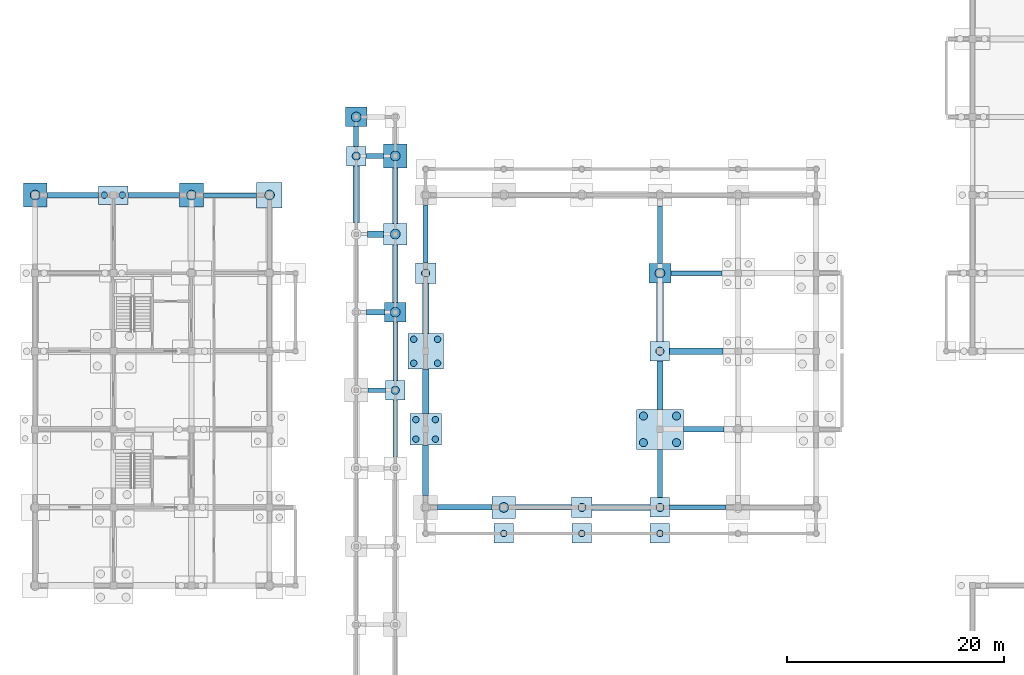
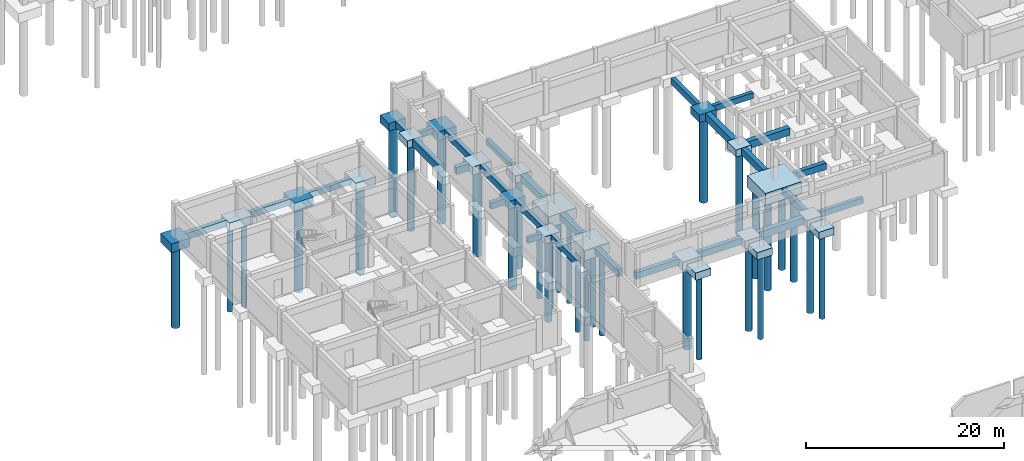
# One storey, part 9 of 38: 50 footings, 32 piles.
"""IFC4 building model written with IfcOpenShell, lengths in metres."""

import ifcopenshell
import ifcopenshell.guid

model = None  # the IFC model being written
_history = None  # IfcOwnerHistory: only IFC2X3 demands one
_inside = {}  # id of a spatial element -> (the spatial element, [elements in it])
_under = {}  # id of a project, library or spatial element -> (it, [spatial elements below it])
_declared = {}  # id of a project -> (the project, [libraries it declares])
_typed = {}  # id of a type object -> (the type object, [elements of that type])
_made_of = {}  # id of a material, layer set ... -> (it, [elements and type objects made of it])


def new_model(schema):
    """Start an empty IFC model of exactly this schema.

    Asked for "IFC4X3", IfcOpenShell would pick the latest addendum, in which some entities
    have other attributes; the version numbers below select the first issue.
    IFC2X3 requires an IfcOwnerHistory on every rooted entity: one is made here for all.
    """
    global model, _history
    if schema == "IFC4X3":
        model = ifcopenshell.file(schema_version=(4, 3, 0, 0))
    else:
        model = ifcopenshell.file(schema=schema)
    _inside.clear()
    _under.clear()
    _declared.clear()
    _typed.clear()
    _made_of.clear()
    _history = None
    if model.schema == "IFC2X3":
        org = make("IfcOrganization", Name="unknown")
        user = make(
            "IfcPersonAndOrganization",
            ThePerson=make("IfcPerson", FamilyName="unknown"),
            TheOrganization=org,
        )
        app = make(
            "IfcApplication",
            ApplicationDeveloper=org,
            Version="unknown",
            ApplicationFullName="unknown",
            ApplicationIdentifier="unknown",
        )
        _history = make(
            "IfcOwnerHistory",
            OwningUser=user,
            OwningApplication=app,
            ChangeAction="ADDED",
            CreationDate=0,
        )
    return model


def make(cls, **values):
    """One entity of the class cls with the attributes given. An attribute that is None is left unset."""
    return model.create_entity(
        cls, **{name: value for name, value in values.items() if value is not None}
    )


def rooted(cls, **values):
    """An entity with a GlobalId (a new one), such as an element, a storey or a relation."""
    return make(cls, GlobalId=ifcopenshell.guid.new(), OwnerHistory=_history, **values)


def si_unit(unit_type, name, prefix=None):
    """IfcSIUnit, for example si_unit("LENGTHUNIT", "METRE", prefix="MILLI")."""
    return make("IfcSIUnit", UnitType=unit_type, Prefix=prefix, Name=name)


def assignment(units):
    """IfcUnitAssignment: the units of a project."""
    return None if units is None else make("IfcUnitAssignment", Units=units)


def point(xyz):
    """IfcCartesianPoint."""
    return None if xyz is None else make("IfcCartesianPoint", Coordinates=xyz)


def direction(xyz):
    """IfcDirection."""
    return None if xyz is None else make("IfcDirection", DirectionRatios=xyz)


def frame(location, z_axis=None, x_axis=None):
    """IfcAxis2Placement3D, a coordinate frame: its origin and axes. An axis left out is left unset."""
    return make(
        "IfcAxis2Placement3D",
        Location=point(location),
        Axis=direction(z_axis),
        RefDirection=direction(x_axis),
    )


def frame_2d(location, x_axis=None):
    """IfcAxis2Placement2D, a coordinate frame in the plane: its origin and x axis."""
    return make(
        "IfcAxis2Placement2D", Location=point(location), RefDirection=direction(x_axis)
    )


def origin():
    """The frame at (0, 0, 0) with its axes left unset."""
    return frame((0.0, 0.0, 0.0))


def origin_2d():
    """The frame at (0, 0) in the plane with its x axis left unset."""
    return frame_2d((0.0, 0.0))


def place(relative_to, where):
    """IfcLocalPlacement: puts the frame where relative to a parent placement (None: the world)."""
    return make(
        "IfcLocalPlacement", PlacementRelTo=relative_to, RelativePlacement=where
    )


def context(
    kind, dimensions, precision=None, world=None, true_north=None, identifier=None
):
    """IfcGeometricRepresentationContext, for example the 3D "Model" context."""
    return make(
        "IfcGeometricRepresentationContext",
        ContextIdentifier=identifier,
        ContextType=kind,
        CoordinateSpaceDimension=dimensions,
        Precision=precision,
        WorldCoordinateSystem=world,
        TrueNorth=true_north,
    )


def subcontext(parent, identifier, kind, view, scale=None):
    """IfcGeometricRepresentationSubContext, for example "Body" below "Model"."""
    return make(
        "IfcGeometricRepresentationSubContext",
        ContextIdentifier=identifier,
        ContextType=kind,
        ParentContext=parent,
        TargetScale=scale,
        TargetView=view,
    )


def project(units=None, contexts=None):
    """IfcProject with its units and contexts."""
    return rooted(
        "IfcProject",
        Name="project",
        RepresentationContexts=contexts,
        UnitsInContext=assignment(units),
    )


def spatial(cls, under=None, at=None, **own):
    """A site, building, storey or space (cls), placed at a placement, below another one or the project."""
    s = rooted(cls, ObjectPlacement=at, **own)
    if under is not None:
        _under.setdefault(under.id(), (under, []))[1].append(s)
    return s


def polyline(points):
    """IfcPolyline through the points."""
    return make("IfcPolyline", Points=[point(p) for p in points])


def profile(cls, at=None, kind="AREA", **sizes):
    """A parametric profile (cls). Its sizes go by their IFC names, for example OverallWidth=200.0."""
    return make(cls, ProfileType=kind, Position=at, **sizes)


def rectangle(**sizes):
    """IfcRectangleProfileDef."""
    return profile("IfcRectangleProfileDef", **sizes)


def circle(**sizes):
    """IfcCircleProfileDef."""
    return profile("IfcCircleProfileDef", **sizes)


def outline(outer, holes=None, kind="AREA"):
    """IfcArbitraryClosedProfileDef: a profile drawn as a closed curve; with holes, ...WithVoids."""
    if holes is None:
        return make("IfcArbitraryClosedProfileDef", ProfileType=kind, OuterCurve=outer)
    return make(
        "IfcArbitraryProfileDefWithVoids",
        ProfileType=kind,
        OuterCurve=outer,
        InnerCurves=holes,
    )


def extrude(swept, where, along, depth):
    """IfcExtrudedAreaSolid: the profile swept, set in the frame where, extruded along a direction by depth."""
    return make(
        "IfcExtrudedAreaSolid",
        SweptArea=swept,
        Position=where,
        ExtrudedDirection=direction(along),
        Depth=depth,
    )


def shape(context_of_items, identifier, shape_type, items):
    """IfcShapeRepresentation: the items that make up one representation, for example the "Body"."""
    return make(
        "IfcShapeRepresentation",
        ContextOfItems=context_of_items,
        RepresentationIdentifier=identifier,
        RepresentationType=shape_type,
        Items=items,
    )


def material(Name=None, Category=None):
    """IfcMaterial."""
    return make("IfcMaterial", Name=Name, Category=Category)


def material_profile(
    of_material, cross_section, Name=None, Category=None, Priority=None
):
    """IfcMaterialProfile: a cross section and its material."""
    return make(
        "IfcMaterialProfile",
        Name=Name,
        Material=of_material,
        Profile=cross_section,
        Priority=Priority,
        Category=Category,
    )


def profile_set(profiles, Name=None, composite=None):
    """IfcMaterialProfileSet."""
    return make(
        "IfcMaterialProfileSet",
        Name=Name,
        MaterialProfiles=profiles,
        CompositeProfile=composite,
    )


def made_of(thing, what):
    """Note that an element or type object is made of a material, layer set ...; save() writes the relation."""
    if what is not None:
        _made_of.setdefault(what.id(), (what, []))[1].append(thing)
    return thing


def type_object(cls, material=None, **own):
    """A type object (cls), such as IfcWallType, which elements share."""
    return made_of(rooted(cls, **own), material)


def element(
    cls,
    number,
    at=None,
    inside=None,
    cuts=None,
    type_object=None,
    material=None,
    context=None,
    identifier="Body",
    shape_type=None,
    held_by="IfcProductDefinitionShape",
    body=None,
    shapes=None,
    **own,
):
    """One element of the class cls, such as IfcWall. Its Tag is "e" and its number.

    at: its placement. inside: the storey or other place that contains it. cuts: it is an
    opening in that element (IfcRelVoidsElement). A single representation is given by context,
    identifier, shape_type and body (its items); several are given by shapes. held_by: the class
    of the entity that holds the representations. save() writes the other relations.
    """
    e = rooted(cls, Tag="e%d" % number, ObjectPlacement=at, **own)
    if body is not None:
        shapes = [shape(context, identifier, shape_type, body)]
    if shapes is not None:
        e.Representation = make(held_by, Representations=shapes)
    if inside is not None:
        _inside.setdefault(inside.id(), (inside, []))[1].append(e)
    if cuts is not None:
        rooted(
            "IfcRelVoidsElement", RelatingBuildingElement=cuts, RelatedOpeningElement=e
        )
    if type_object is not None:
        _typed.setdefault(type_object.id(), (type_object, []))[1].append(e)
    return made_of(e, material)


def aggregate(whole, parts):
    """IfcRelAggregates: a whole, such as a stair, and the parts it consists of."""
    return rooted("IfcRelAggregates", RelatingObject=whole, RelatedObjects=parts)


def save(model, path):
    """Write the relations noted so far, then the file.

    IfcRelAggregates (storeys below a building ...), IfcRelContainedInSpatialStructure (elements
    in a storey), IfcRelDefinesByType, IfcRelAssociatesMaterial and IfcRelDeclares: one each for
    every whole, place, type object, material and project.
    """
    for whole, parts in _under.values():
        aggregate(whole, parts)
    for where, things in _inside.values():
        rooted(
            "IfcRelContainedInSpatialStructure",
            RelatedElements=things,
            RelatingStructure=where,
        )
    for kind, things in _typed.values():
        rooted("IfcRelDefinesByType", RelatedObjects=things, RelatingType=kind)
    for what, things in _made_of.values():
        rooted("IfcRelAssociatesMaterial", RelatedObjects=things, RelatingMaterial=what)
    for by, libraries in _declared.values():
        rooted("IfcRelDeclares", RelatingContext=by, RelatedDefinitions=libraries)
    model.write(path)


model = new_model("IFC4")

# Units and contexts
model_context = context("Model", 3, precision=1e-05, world=origin(), true_north=direction((0.0, 1.0)))
body_context = subcontext(model_context, "Body", "Model", "MODEL_VIEW")
ifc_project = project(units=[si_unit("LENGTHUNIT", "METRE"), si_unit("AREAUNIT", "SQUARE_METRE"), si_unit("VOLUMEUNIT", "CUBIC_METRE"), si_unit("PLANEANGLEUNIT", "RADIAN"), si_unit("MASSUNIT", "GRAM", prefix="KILO"), si_unit("THERMODYNAMICTEMPERATUREUNIT", "KELVIN"), si_unit("POWERUNIT", "WATT")], contexts=[model_context])

# Site, building, storey
site_placement = place(None, origin())
site = spatial("IfcSite", under=ifc_project, at=site_placement, CompositionType="ELEMENT")
building_placement = place(site_placement, origin())
building = spatial("IfcBuilding", under=site, at=building_placement, Name="Tavuni Mirador Residences", CompositionType="ELEMENT")
storey_placement = place(building_placement, frame((0.0, 0.0, -4.199951171875)))
storey = spatial("IfcBuildingStorey", under=building, at=storey_placement, Name="B1", CompositionType="ELEMENT", Elevation=-4.199951171875)

# Footings
ifc_material = material(Name="In-situ concrete C35/45", Category="concrete")
footing_type_1 = type_object("IfcFootingType", Name="FT-GB01", PredefinedType="FOOTING_BEAM", material=ifc_material)
footing_1_placement = place(storey_placement, frame((0.0, 0.0, -0.719970703125)))
element("IfcFooting", 1, at=footing_1_placement, inside=storey, type_object=footing_type_1, Name="GBX-BLK-B-02-05", PredefinedType="FOOTING_BEAM", context=body_context, shape_type="SweptSolid", body=[
    extrude(outline(polyline([(19.10009765625, 100.590087890625), (24.02490234375, 100.590087890625), (24.02490234375, 101.010009765625), (19.10009765625, 101.010009765625), (19.10009765625, 100.590087890625)])), origin(), (0.0, 0.0, 1.0), 0.719970703125),
])
footing_2_placement = place(storey_placement, frame((0.0, 0.0, -0.719970703125)))
element("IfcFooting", 2, at=footing_2_placement, inside=storey, type_object=footing_type_1, Name="GBY-PAV-HALL-00-03", PredefinedType="FOOTING_BEAM", context=body_context, shape_type="SweptSolid", body=[
    extrude(outline(polyline([(39.389892578125, 94.550048828125), (39.81005859375, 94.550048828125), (39.81005859375, 99.89990234375), (39.389892578125, 99.89990234375), (39.389892578125, 94.550048828125)])), origin(), (0.0, 0.0, 1.0), 0.719970703125),
])
footing_3_placement = place(storey_placement, frame((0.0, 0.0, -0.719970703125)))
element("IfcFooting", 3, at=footing_3_placement, inside=storey, type_object=footing_type_1, Name="GBX-PAV-HALL-03-00", PredefinedType="FOOTING_BEAM", context=body_context, shape_type="SweptSolid", body=[
    extrude(outline(polyline([(62.10009765625, 71.7900390625), (67.300048828125, 71.7900390625), (67.300048828125, 72.2099609375), (62.10009765625, 72.2099609375), (62.10009765625, 71.7900390625)])), origin(), (0.0, 0.0, 1.0), 0.719970703125),
])
footing_4_placement = place(storey_placement, frame((0.0, 0.0, -0.719970703125)))
element("IfcFooting", 4, at=footing_4_placement, inside=storey, type_object=footing_type_1, Name="GBX-PAV-HALL-03-03", PredefinedType="FOOTING_BEAM", context=body_context, shape_type="SweptSolid", body=[
    extrude(outline(polyline([(62.199951171875, 93.389892578125), (66.89990234375, 93.389892578125), (66.89990234375, 93.81005859375), (62.199951171875, 93.81005859375), (62.199951171875, 93.389892578125)])), origin(), (0.0, 0.0, 1.0), 0.719970703125),
])
footing_5_placement = place(storey_placement, frame((0.0, 0.0, -0.719970703125)))
element("IfcFooting", 5, at=footing_5_placement, inside=storey, type_object=footing_type_1, Name="GBX-PAV-COL-00-04", PredefinedType="FOOTING_BEAM", context=body_context, shape_type="SweptSolid", body=[
    extrude(outline(polyline([(34.300048828125, 82.590087890625), (35.89990234375, 82.590087890625), (35.89990234375, 83.010009765625), (34.300048828125, 83.010009765625), (34.300048828125, 82.590087890625)])), origin(), (0.0, 0.0, 1.0), 0.719970703125),
])
footing_6_placement = place(storey_placement, frame((0.0, 0.0, -0.719970703125)))
element("IfcFooting", 6, at=footing_6_placement, inside=storey, type_object=footing_type_1, Name="GBX-PAV-COL-00-07", PredefinedType="FOOTING_BEAM", context=body_context, shape_type="SweptSolid", body=[
    extrude(outline(polyline([(34.10009765625, 104.18994140625), (35.699951171875, 104.18994140625), (35.699951171875, 104.610107421875), (34.10009765625, 104.610107421875), (34.10009765625, 104.18994140625)])), origin(), (0.0, 0.0, 1.0), 0.719970703125),
])
footing_7_placement = place(storey_placement, frame((0.0, 0.0, -0.719970703125)))
element("IfcFooting", 7, at=footing_7_placement, inside=storey, type_object=footing_type_1, Name="GBY-PAV-COL-01-03", PredefinedType="FOOTING_BEAM", context=body_context, shape_type="SweptSolid", body=[
    extrude(outline(polyline([(36.590087890625, 76.64990234375), (37.010009765625, 76.64990234375), (37.010009765625, 81.89990234375), (36.590087890625, 81.89990234375), (36.590087890625, 76.64990234375)])), origin(), (0.0, 0.0, 1.0), 0.719970703125),
])
footing_type_2 = type_object("IfcFootingType", Name="FT-GB02", PredefinedType="FOOTING_BEAM", material=ifc_material)
footing_8_placement = place(storey_placement, frame((0.0, 0.0, -0.760009765625)))
element("IfcFooting", 8, at=footing_8_placement, inside=storey, type_object=footing_type_2, Name="GBX-BLK-B-01-05", PredefinedType="FOOTING_BEAM", context=body_context, shape_type="SweptSolid", body=[
    extrude(outline(polyline([(12.14990234375, 100.570068359375), (16.89990234375, 100.570068359375), (16.89990234375, 101.030029296875), (12.14990234375, 101.030029296875), (12.14990234375, 100.570068359375)])), origin(), (0.0, 0.0, 1.0), 0.760009765625),
])
footing_9_placement = place(storey_placement, frame((0.0, 0.0, -0.760009765625)))
element("IfcFooting", 9, at=footing_9_placement, inside=storey, type_object=footing_type_2, Name="GBY-PAV-HALL-03-00", PredefinedType="FOOTING_BEAM", context=body_context, shape_type="SweptSolid", body=[
    extrude(outline(polyline([(60.969970703125, 72.89990234375), (61.429931640625, 72.89990234375), (61.429931640625, 77.35009765625), (60.969970703125, 77.35009765625), (60.969970703125, 72.89990234375)])), origin(), (0.0, 0.0, 1.0), 0.760009765625),
])
footing_10_placement = place(storey_placement, frame((0.0, 0.0, -0.760009765625)))
element("IfcFooting", 10, at=footing_10_placement, inside=storey, type_object=footing_type_2, Name="GBY-PAV-HALL-03-03", PredefinedType="FOOTING_BEAM", context=body_context, shape_type="SweptSolid", body=[
    extrude(outline(polyline([(60.969970703125, 94.5), (61.429931640625, 94.5), (61.429931640625, 99.800048828125), (60.969970703125, 99.800048828125), (60.969970703125, 94.5)])), origin(), (0.0, 0.0, 1.0), 0.760009765625),
])
footing_11_placement = place(storey_placement, frame((0.0, 0.0, -0.760009765625)))
element("IfcFooting", 11, at=footing_11_placement, inside=storey, type_object=footing_type_2, Name="GBY-PAV-COL-00-07", PredefinedType="FOOTING_BEAM", context=body_context, shape_type="SweptSolid", body=[
    extrude(outline(polyline([(32.969970703125, 105.300048828125), (33.429931640625, 105.300048828125), (33.429931640625, 107.10009765625), (32.969970703125, 107.10009765625), (32.969970703125, 105.300048828125)])), origin(), (0.0, 0.0, 1.0), 0.760009765625),
])
footing_12_placement = place(storey_placement, frame((0.0, 0.0, -0.760009765625)))
element("IfcFooting", 12, at=footing_12_placement, inside=storey, type_object=footing_type_2, Name="GBY-PAV-COL-01-04", PredefinedType="FOOTING_BEAM", context=body_context, shape_type="SweptSolid", body=[
    extrude(outline(polyline([(36.570068359375, 83.699951171875), (37.030029296875, 83.699951171875), (37.030029296875, 89.10009765625), (36.570068359375, 89.10009765625), (36.570068359375, 83.699951171875)])), origin(), (0.0, 0.0, 1.0), 0.760009765625),
])
footing_type_3 = type_object("IfcFootingType", Name="FT-GB03", PredefinedType="FOOTING_BEAM", material=ifc_material)
footing_13_placement = place(storey_placement, frame((0.0, 0.0, -0.800048828125)))
element("IfcFooting", 13, at=footing_13_placement, inside=storey, type_object=footing_type_3, Name="GBX-BLK-B-00-05", PredefinedType="FOOTING_BEAM", context=body_context, shape_type="SweptSolid", body=[
    extrude(outline(polyline([(4.699951171875, 100.550048828125), (9.449951171875, 100.550048828125), (9.449951171875, 101.050048828125), (4.699951171875, 101.050048828125), (4.699951171875, 100.550048828125)])), origin(), (0.0, 0.0, 1.0), 0.800048828125),
])
footing_14_placement = place(storey_placement, frame((0.0, 0.0, -0.800048828125)))
element("IfcFooting", 14, at=footing_14_placement, inside=storey, type_object=footing_type_3, Name="GBX-PAV-HALL-00-00", PredefinedType="FOOTING_BEAM", context=body_context, shape_type="SweptSolid", body=[
    extrude(outline(polyline([(40.699951171875, 71.75), (45.699951171875, 71.75), (45.699951171875, 72.25), (40.699951171875, 72.25), (40.699951171875, 71.75)])), origin(), (0.0, 0.0, 1.0), 0.800048828125),
])
footing_15_placement = place(storey_placement, frame((0.0, 0.0, -0.800048828125)))
element("IfcFooting", 15, at=footing_15_placement, inside=storey, type_object=footing_type_3, Name="GBX-PAV-HALL-01-00", PredefinedType="FOOTING_BEAM", context=body_context, shape_type="SweptSolid", body=[
    extrude(outline(polyline([(47.89990234375, 71.75), (53.050048828125, 71.75), (53.050048828125, 72.25), (47.89990234375, 72.25), (47.89990234375, 71.75)])), origin(), (0.0, 0.0, 1.0), 0.800048828125),
])
footing_16_placement = place(storey_placement, frame((0.0, 0.0, -0.800048828125)))
element("IfcFooting", 16, at=footing_16_placement, inside=storey, type_object=footing_type_3, Name="GBX-PAV-HALL-03-01", PredefinedType="FOOTING_BEAM", context=body_context, shape_type="SweptSolid", body=[
    extrude(outline(polyline([(63.35009765625, 78.949951171875), (67.10009765625, 78.949951171875), (67.10009765625, 79.449951171875), (63.35009765625, 79.449951171875), (63.35009765625, 78.949951171875)])), origin(), (0.0, 0.0, 1.0), 0.800048828125),
])
footing_17_placement = place(storey_placement, frame((0.0, 0.0, -0.800048828125)))
element("IfcFooting", 17, at=footing_17_placement, inside=storey, type_object=footing_type_3, Name="GBX-PAV-COL-00-05", PredefinedType="FOOTING_BEAM", context=body_context, shape_type="SweptSolid", body=[
    extrude(outline(polyline([(34.14990234375, 89.75), (35.800048828125, 89.75), (35.800048828125, 90.25), (34.14990234375, 90.25), (34.14990234375, 89.75)])), origin(), (0.0, 0.0, 1.0), 0.800048828125),
])
footing_18_placement = place(storey_placement, frame((0.0, 0.0, -0.800048828125)))
element("IfcFooting", 18, at=footing_18_placement, inside=storey, type_object=footing_type_3, Name="GBY-PAV-COL-01-05", PredefinedType="FOOTING_BEAM", context=body_context, shape_type="SweptSolid", body=[
    extrude(outline(polyline([(36.550048828125, 90.89990234375), (37.050048828125, 90.89990234375), (37.050048828125, 96.199951171875), (36.550048828125, 96.199951171875), (36.550048828125, 90.89990234375)])), origin(), (0.0, 0.0, 1.0), 0.800048828125),
])
footing_type_4 = type_object("IfcFootingType", Name="FT-GB04", PredefinedType="FOOTING_BEAM", material=ifc_material)
footing_19_placement = place(storey_placement, frame((0.0, 0.0, -0.840087890625)))
element("IfcFooting", 19, at=footing_19_placement, inside=storey, type_object=footing_type_4, Name="GBY-PAV-HALL-00-00", PredefinedType="FOOTING_BEAM", context=body_context, shape_type="SweptSolid", body=[
    extrude(outline(polyline([(39.330078125, 73.10009765625), (39.8701171875, 73.10009765625), (39.8701171875, 77.75), (39.330078125, 77.75), (39.330078125, 73.10009765625)])), origin(), (0.0, 0.0, 1.0), 0.840087890625),
])
footing_20_placement = place(storey_placement, frame((0.0, 0.0, -0.840087890625)))
element("IfcFooting", 20, at=footing_20_placement, inside=storey, type_object=footing_type_4, Name="GBY-PAV-HALL-03-01", PredefinedType="FOOTING_BEAM", context=body_context, shape_type="SweptSolid", body=[
    extrude(outline(polyline([(60.929931640625, 81.050048828125), (61.469970703125, 81.050048828125), (61.469970703125, 85.5), (60.929931640625, 85.5), (60.929931640625, 81.050048828125)])), origin(), (0.0, 0.0, 1.0), 0.840087890625),
])
footing_21_placement = place(storey_placement, frame((0.0, 0.0, -0.840087890625)))
element("IfcFooting", 21, at=footing_21_placement, inside=storey, type_object=footing_type_4, Name="GBY-PAV-COL-01-06", PredefinedType="FOOTING_BEAM", context=body_context, shape_type="SweptSolid", body=[
    extrude(outline(polyline([(36.530029296875, 98.199951171875), (37.070068359375, 98.199951171875), (37.070068359375, 103.300048828125), (36.530029296875, 103.300048828125), (36.530029296875, 98.199951171875)])), origin(), (0.0, 0.0, 1.0), 0.840087890625),
])
footing_type_5 = type_object("IfcFootingType", Name="FT-GB05", PredefinedType="FOOTING_BEAM", material=ifc_material)
footing_22_placement = place(storey_placement, frame((0.0, 0.0, -0.880126953125)))
element("IfcFooting", 22, at=footing_22_placement, inside=storey, type_object=footing_type_5, Name="GBY-PAV-HALL-00-01", PredefinedType="FOOTING_BEAM", context=body_context, shape_type="SweptSolid", body=[
    extrude(outline(polyline([(39.31005859375, 80.64990234375), (39.889892578125, 80.64990234375), (39.889892578125, 84.75), (39.31005859375, 84.75), (39.31005859375, 80.64990234375)])), origin(), (0.0, 0.0, 1.0), 0.880126953125),
])
footing_23_placement = place(storey_placement, frame((0.0, 0.0, -0.880126953125)))
element("IfcFooting", 23, at=footing_23_placement, inside=storey, type_object=footing_type_5, Name="GBX-PAV-HALL-02-00", PredefinedType="FOOTING_BEAM", context=body_context, shape_type="SweptSolid", body=[
    extrude(outline(polyline([(54.949951171875, 71.7099609375), (60.300048828125, 71.7099609375), (60.300048828125, 72.2900390625), (54.949951171875, 72.2900390625), (54.949951171875, 71.7099609375)])), origin(), (0.0, 0.0, 1.0), 0.880126953125),
])
footing_24_placement = place(storey_placement, frame((0.0, 0.0, -0.880126953125)))
element("IfcFooting", 24, at=footing_24_placement, inside=storey, type_object=footing_type_5, Name="GBX-PAV-HALL-03-02", PredefinedType="FOOTING_BEAM", context=body_context, shape_type="SweptSolid", body=[
    extrude(outline(polyline([(62.10009765625, 86.110107421875), (67.0, 86.110107421875), (67.0, 86.68994140625), (62.10009765625, 86.68994140625), (62.10009765625, 86.110107421875)])), origin(), (0.0, 0.0, 1.0), 0.880126953125),
])
footing_25_placement = place(storey_placement, frame((0.0, 0.0, -0.880126953125)))
element("IfcFooting", 25, at=footing_25_placement, inside=storey, type_object=footing_type_5, Name="GBX-PAV-COL-00-06", PredefinedType="FOOTING_BEAM", context=body_context, shape_type="SweptSolid", body=[
    extrude(outline(polyline([(34.25, 96.909912109375), (35.699951171875, 96.909912109375), (35.699951171875, 97.489990234375), (34.25, 97.489990234375), (34.25, 96.909912109375)])), origin(), (0.0, 0.0, 1.0), 0.880126953125),
])
footing_type_6 = type_object("IfcFootingType", Name="FT-GB06", PredefinedType="FOOTING_BEAM", material=ifc_material)
footing_26_placement = place(storey_placement, frame((0.0, 0.0, -0.920166015625)))
element("IfcFooting", 26, at=footing_26_placement, inside=storey, type_object=footing_type_6, Name="GBY-PAV-HALL-00-02", PredefinedType="FOOTING_BEAM", context=body_context, shape_type="SweptSolid", body=[
    extrude(outline(polyline([(39.2900390625, 88.050048828125), (39.909912109375, 88.050048828125), (39.909912109375, 92.64990234375), (39.2900390625, 92.64990234375), (39.2900390625, 88.050048828125)])), origin(), (0.0, 0.0, 1.0), 0.920166015625),
])
footing_27_placement = place(storey_placement, frame((0.0, 0.0, -0.920166015625)))
element("IfcFooting", 27, at=footing_27_placement, inside=storey, type_object=footing_type_6, Name="GBY-PAV-HALL-03-02", PredefinedType="FOOTING_BEAM", context=body_context, shape_type="SweptSolid", body=[
    extrude(outline(polyline([(60.889892578125, 87.300048828125), (61.510009765625, 87.300048828125), (61.510009765625, 92.699951171875), (60.889892578125, 92.699951171875), (60.889892578125, 87.300048828125)])), origin(), (0.0, 0.0, 1.0), 0.920166015625),
])
footing_28_placement = place(storey_placement, frame((0.0, 0.0, -0.920166015625)))
element("IfcFooting", 28, at=footing_28_placement, inside=storey, type_object=footing_type_6, Name="GBY-PAV-COL-00-06", PredefinedType="FOOTING_BEAM", context=body_context, shape_type="SweptSolid", body=[
    extrude(outline(polyline([(32.889892578125, 98.25), (33.510009765625, 98.25), (33.510009765625, 103.5), (32.889892578125, 103.5), (32.889892578125, 98.25)])), origin(), (0.0, 0.0, 1.0), 0.920166015625),
])
footing_type_7 = type_object("IfcFootingType", Name="FT-PC01", PredefinedType="PILE_CAP", material=ifc_material)
for number, where, z_axis, x_axis, name in (
    (29, (61.199951171875, 72.0, -0.89990234375), (0.0, 0.0, 1.0), (1.0, 0.0, 0.0), "CAP-PAV-HALL-03-00"),
    (30, (61.199951171875, 86.39990234375, -0.89990234375), (0.0, 0.0, 1.0), (1.0, 0.0, 0.0), "CAP-PAV-HALL-03-02"),
    (31, (33.199951171875, 104.39990234375, -0.89990234375), (0.0, 0.0, 1.0), (1.0, 0.0, 0.0), "CAP-PAV-COL-00-07"),
    (32, (36.800048828125, 82.800048828125, -0.89990234375), (0.0, 0.0, 1.0), (1.0, 0.0, 0.0), "CAP-PAV-COL-01-04"),
    (33, (46.800048828125, 69.60009765625, -0.89990234375), (0.0, 0.0, 1.0), (1.0, 0.0, 0.0), "CAP-HALL-EAVE-S-01"),
    (34, (54.0, 69.60009765625, -0.89990234375), (0.0, 0.0, 1.0), (1.0, 0.0, 0.0), "CAP-HALL-EAVE-S-02"),
    (35, (61.199951171875, 69.60009765625, -0.89990234375), (0.0, 0.0, 1.0), (1.0, 0.0, 0.0), "CAP-HALL-EAVE-S-03"),
):
    element("IfcFooting", number, at=place(storey_placement, frame(where, z_axis=z_axis, x_axis=x_axis)), inside=storey, type_object=footing_type_7, Name=name, PredefinedType="PILE_CAP", context=body_context, shape_type="SweptSolid", body=[
        extrude(rectangle(XDim=1.800048828125, YDim=1.800048828125, at=origin_2d()), origin(), (0.0, 0.0, 1.0), 0.89990234375),
    ])
footing_type_8 = type_object("IfcFootingType", Name="FT-PC02", PredefinedType="PILE_CAP", material=ifc_material)
for number, where, z_axis, x_axis, name in (
    (36, (61.199951171875, 93.60009765625, -0.9501953125), (0.0, 0.0, 1.0), (1.0, 0.0, 0.0), "CAP-PAV-HALL-03-03"),
    (37, (33.199951171875, 108.0, -0.9501953125), (0.0, 0.0, 1.0), (1.0, 0.0, 0.0), "CAP-PAV-COL-00-08"),
    (38, (36.800048828125, 90.0, -0.9501953125), (0.0, 0.0, 1.0), (1.0, 0.0, 0.0), "CAP-PAV-COL-01-05"),
):
    element("IfcFooting", number, at=place(storey_placement, frame(where, z_axis=z_axis, x_axis=x_axis)), inside=storey, type_object=footing_type_8, Name=name, PredefinedType="PILE_CAP", context=body_context, shape_type="SweptSolid", body=[
        extrude(rectangle(XDim=2.0, YDim=1.800048828125, at=origin_2d()), origin(), (0.0, 0.0, 1.0), 0.949951171875),
    ])
footing_type_9 = type_object("IfcFootingType", Name="FT-PC03", PredefinedType="PILE_CAP", material=ifc_material)
for number, where, z_axis, x_axis, name in (
    (39, (46.800048828125, 72.0, -1.0), (0.0, 0.0, 1.0), (1.0, 0.0, 0.0), "CAP-PAV-HALL-01-00"),
    (40, (36.800048828125, 97.199951171875, -1.0), (0.0, 0.0, 1.0), (1.0, 0.0, 0.0), "CAP-PAV-COL-01-06"),
):
    element("IfcFooting", number, at=place(storey_placement, frame(where, z_axis=z_axis, x_axis=x_axis)), inside=storey, type_object=footing_type_9, Name=name, PredefinedType="PILE_CAP", context=body_context, shape_type="SweptSolid", body=[
        extrude(rectangle(XDim=2.199951171875, YDim=2.0, at=origin_2d()), origin(), (0.0, 0.0, 1.0), 1.0),
    ])
footing_type_10 = type_object("IfcFootingType", Name="FT-PC15", PredefinedType="PILE_CAP", material=ifc_material)
footing_29_placement = place(storey_placement, frame((10.800048828125, 100.800048828125, -1.0), z_axis=(0.0, 0.0, 1.0), x_axis=(1.0, 0.0, 0.0)))
element("IfcFooting", 41, at=footing_29_placement, inside=storey, type_object=footing_type_10, Name="CAP-BLK-B-01-05", PredefinedType="PILE_CAP", context=body_context, shape_type="SweptSolid", body=[
    extrude(rectangle(XDim=2.699951171875, YDim=1.699951171875, at=origin_2d()), origin(), (0.0, 0.0, 1.0), 1.0),
])
footing_type_11 = type_object("IfcFootingType", Name="FT-PC21", PredefinedType="PILE_CAP", material=ifc_material)
for number, where, z_axis, x_axis, name in (
    (42, (3.60009765625, 100.800048828125, -1.10009765625), (0.0, 0.0, 1.0), (1.0, 0.0, 0.0), "CAP-BLK-B-00-05"),
    (43, (18.0, 100.800048828125, -1.10009765625), (0.0, 0.0, 1.0), (1.0, 0.0, 0.0), "CAP-BLK-B-02-05"),
    (44, (36.800048828125, 104.39990234375, -1.10009765625), (0.0, 0.0, 1.0), (1.0, 0.0, 0.0), "CAP-PAV-COL-01-07"),
):
    element("IfcFooting", number, at=place(storey_placement, frame(where, z_axis=z_axis, x_axis=x_axis)), inside=storey, type_object=footing_type_11, Name=name, PredefinedType="PILE_CAP", context=body_context, shape_type="SweptSolid", body=[
        extrude(rectangle(XDim=2.199951171875, YDim=2.199951171875, at=origin_2d()), origin(), (0.0, 0.0, 1.0), 1.10009765625),
    ])
footing_type_12 = type_object("IfcFootingType", Name="FT-PC23", PredefinedType="PILE_CAP", material=ifc_material)
footing_30_placement = place(storey_placement, frame((39.60009765625, 79.199951171875, -1.25), z_axis=(0.0, 0.0, 1.0), x_axis=(1.0, 0.0, 0.0)))
element("IfcFooting", 45, at=footing_30_placement, inside=storey, type_object=footing_type_12, Name="CAP-PAV-HALL-00-01", PredefinedType="PILE_CAP", context=body_context, shape_type="SweptSolid", body=[
    extrude(rectangle(XDim=2.89990234375, YDim=2.89990234375, at=origin_2d()), origin(), (0.0, 0.0, 1.0), 1.25),
])
footing_type_13 = type_object("IfcFootingType", Name="FT-PC24", PredefinedType="PILE_CAP", material=ifc_material)
footing_31_placement = place(storey_placement, frame((39.60009765625, 86.39990234375, -1.35009765625), z_axis=(0.0, 0.0, 1.0), x_axis=(1.0, 0.0, 0.0)))
element("IfcFooting", 46, at=footing_31_placement, inside=storey, type_object=footing_type_13, Name="CAP-PAV-HALL-00-02", PredefinedType="PILE_CAP", context=body_context, shape_type="SweptSolid", body=[
    extrude(rectangle(XDim=3.300048828125, YDim=3.300048828125, at=origin_2d()), origin(), (0.0, 0.0, 1.0), 1.35009765625),
])
footing_type_14 = type_object("IfcFootingType", Name="FT-PC25", PredefinedType="PILE_CAP", material=ifc_material)
for number, where, z_axis, x_axis, name in (
    (47, (39.60009765625, 93.60009765625, -0.919921875), (0.0, 0.0, 1.0), (1.0, 0.0, 0.0), "CAP-PAV-HALL-00-03"),
    (48, (54.0, 72.0, -0.919921875), (0.0, 0.0, 1.0), (1.0, 0.0, 0.0), "CAP-PAV-HALL-02-00"),
):
    element("IfcFooting", number, at=place(storey_placement, frame(where, z_axis=z_axis, x_axis=x_axis)), inside=storey, type_object=footing_type_14, Name=name, PredefinedType="PILE_CAP", context=body_context, shape_type="SweptSolid", body=[
        extrude(rectangle(XDim=1.89990234375, YDim=1.89990234375, at=origin_2d()), origin(), (0.0, 0.0, 1.0), 0.919921875),
    ])
footing_type_15 = type_object("IfcFootingType", Name="FT-PC27", PredefinedType="PILE_CAP", material=ifc_material)
footing_32_placement = place(storey_placement, frame((25.199951171875, 100.800048828125, -1.06005859375), z_axis=(0.0, 0.0, 1.0), x_axis=(1.0, 0.0, 0.0)))
element("IfcFooting", 49, at=footing_32_placement, inside=storey, type_object=footing_type_15, Name="CAP-BLK-B-03-05", PredefinedType="PILE_CAP", context=body_context, shape_type="SweptSolid", body=[
    extrude(rectangle(XDim=2.35009765625, YDim=2.35009765625, at=origin_2d()), origin(), (0.0, 0.0, 1.0), 1.06005859375),
])
footing_type_16 = type_object("IfcFootingType", Name="FT-PC32", PredefinedType="PILE_CAP", material=ifc_material)
footing_33_placement = place(storey_placement, frame((61.199951171875, 79.199951171875, -1.47998046875), z_axis=(0.0, 0.0, 1.0), x_axis=(1.0, 0.0, 0.0)))
element("IfcFooting", 50, at=footing_33_placement, inside=storey, type_object=footing_type_16, Name="CAP-PAV-HALL-03-01", PredefinedType="PILE_CAP", context=body_context, shape_type="SweptSolid", body=[
    extrude(rectangle(XDim=4.300048828125, YDim=3.699951171875, at=origin_2d()), origin(), (0.0, 0.0, 1.0), 1.47998046875),
])

# Piles
ifc_material_profile_1 = material_profile(ifc_material, circle(Radius=0.300048828125, at=origin_2d()), Name="PILE D600", Category="concrete")
ifc_profile_set_1 = profile_set([ifc_material_profile_1], Name="In-situ concrete C35/45")
pile_type_1 = type_object("IfcPileType", Name="PT-D600", PredefinedType="BORED", material=ifc_profile_set_1)
for number, where, z_axis, x_axis, name in (
    (51, (9.969970703125, 100.800048828125, -1.0), (0.0, 0.0, -1.0), (1.0, 0.0, 0.0), "PIL-BLK-B-01-05-1"),
    (52, (11.6298828125, 100.800048828125, -1.0), (0.0, 0.0, -1.0), (1.0, 0.0, 0.0), "PIL-BLK-B-01-05-2"),
):
    element("IfcPile", number, at=place(storey_placement, frame(where, z_axis=z_axis, x_axis=x_axis)), inside=storey, type_object=pile_type_1, Name=name, PredefinedType="BORED", context=body_context, shape_type="SweptSolid", body=[
        extrude(circle(Radius=0.300048828125, at=origin_2d()), origin(), (0.0, 0.0, 1.0), 10.5),
    ])
for number, where, z_axis, x_axis, name in (
    (53, (38.699951171875, 78.300048828125, -1.25), (0.0, 0.0, -1.0), (1.0, 0.0, 0.0), "PIL-PAV-HALL-00-01-1"),
    (54, (40.5, 78.300048828125, -1.25), (0.0, 0.0, -1.0), (1.0, 0.0, 0.0), "PIL-PAV-HALL-00-01-2"),
    (55, (38.699951171875, 80.10009765625, -1.25), (0.0, 0.0, -1.0), (1.0, 0.0, 0.0), "PIL-PAV-HALL-00-01-3"),
    (56, (40.5, 80.10009765625, -1.25), (0.0, 0.0, -1.0), (1.0, 0.0, 0.0), "PIL-PAV-HALL-00-01-4"),
):
    element("IfcPile", number, at=place(storey_placement, frame(where, z_axis=z_axis, x_axis=x_axis)), inside=storey, type_object=pile_type_1, Name=name, PredefinedType="BORED", context=body_context, shape_type="SweptSolid", body=[
        extrude(circle(Radius=0.300048828125, at=origin_2d()), origin(), (0.0, 0.0, 1.0), 10.25),
    ])
for number, where, z_axis, x_axis, name in (
    (57, (38.5, 85.300048828125, -1.35009765625), (0.0, 0.0, -1.0), (1.0, 0.0, 0.0), "PIL-PAV-HALL-00-02-1"),
    (58, (40.699951171875, 85.300048828125, -1.35009765625), (0.0, 0.0, -1.0), (1.0, 0.0, 0.0), "PIL-PAV-HALL-00-02-2"),
    (59, (38.5, 87.5, -1.35009765625), (0.0, 0.0, -1.0), (1.0, 0.0, 0.0), "PIL-PAV-HALL-00-02-3"),
    (60, (40.699951171875, 87.5, -1.35009765625), (0.0, 0.0, -1.0), (1.0, 0.0, 0.0), "PIL-PAV-HALL-00-02-4"),
):
    element("IfcPile", number, at=place(storey_placement, frame(where, z_axis=z_axis, x_axis=x_axis)), inside=storey, type_object=pile_type_1, Name=name, PredefinedType="BORED", context=body_context, shape_type="SweptSolid", body=[
        extrude(circle(Radius=0.300048828125, at=origin_2d()), origin(), (0.0, 0.0, 1.0), 10.449951171875),
    ])
for number, where, z_axis, x_axis, name in (
    (61, (46.800048828125, 69.60009765625, -0.800048828125), (0.0, 0.0, -1.0), (1.0, 0.0, 0.0), "PIL-HALL-EAVE-S-01"),
    (62, (54.0, 69.60009765625, -0.800048828125), (0.0, 0.0, -1.0), (1.0, 0.0, 0.0), "PIL-HALL-EAVE-S-02"),
    (63, (61.199951171875, 69.60009765625, -0.800048828125), (0.0, 0.0, -1.0), (1.0, 0.0, 0.0), "PIL-HALL-EAVE-S-03"),
):
    element("IfcPile", number, at=place(storey_placement, frame(where, z_axis=z_axis, x_axis=x_axis)), inside=storey, type_object=pile_type_1, Name=name, PredefinedType="BORED", context=body_context, shape_type="SweptSolid", body=[
        extrude(circle(Radius=0.300048828125, at=origin_2d()), origin(), (0.0, 0.0, 1.0), 10.60009765625),
    ])
ifc_material_profile_2 = material_profile(ifc_material, circle(Radius=0.375, at=origin_2d()), Name="PILE D750", Category="concrete")
ifc_profile_set_2 = profile_set([ifc_material_profile_2], Name="In-situ concrete C35/45")
pile_type_2 = type_object("IfcPileType", Name="PT-D750", PredefinedType="BORED", material=ifc_profile_set_2)
pile_1_placement = place(storey_placement, frame((39.60009765625, 93.60009765625, -0.920166015625), z_axis=(0.0, 0.0, -1.0), x_axis=(1.0, 0.0, 0.0)))
element("IfcPile", 64, at=pile_1_placement, inside=storey, type_object=pile_type_2, Name="PIL-PAV-HALL-00-03-1", PredefinedType="BORED", context=body_context, shape_type="SweptSolid", body=[
    extrude(circle(Radius=0.375, at=origin_2d()), origin(), (0.0, 0.0, 1.0), 11.179931640625),
])
pile_2_placement = place(storey_placement, frame((54.0, 72.0, -0.920166015625), z_axis=(0.0, 0.0, -1.0), x_axis=(1.0, 0.0, 0.0)))
element("IfcPile", 65, at=pile_2_placement, inside=storey, type_object=pile_type_2, Name="PIL-PAV-HALL-02-00-1", PredefinedType="BORED", context=body_context, shape_type="SweptSolid", body=[
    extrude(circle(Radius=0.375, at=origin_2d()), origin(), (0.0, 0.0, 1.0), 10.8798828125),
])
pile_3_placement = place(storey_placement, frame((61.199951171875, 72.0, -0.900146484375), z_axis=(0.0, 0.0, -1.0), x_axis=(1.0, 0.0, 0.0)))
element("IfcPile", 66, at=pile_3_placement, inside=storey, type_object=pile_type_2, Name="PIL-PAV-HALL-03-00-1", PredefinedType="BORED", context=body_context, shape_type="SweptSolid", body=[
    extrude(circle(Radius=0.375, at=origin_2d()), origin(), (0.0, 0.0, 1.0), 11.199951171875),
])
for number, where, z_axis, x_axis, name in (
    (67, (59.675048828125, 77.97509765625, -1.47998046875), (0.0, 0.0, -1.0), (1.0, 0.0, 0.0), "PIL-PAV-HALL-03-01-1"),
    (68, (62.72509765625, 77.97509765625, -1.47998046875), (0.0, 0.0, -1.0), (1.0, 0.0, 0.0), "PIL-PAV-HALL-03-01-2"),
    (69, (59.675048828125, 80.425048828125, -1.47998046875), (0.0, 0.0, -1.0), (1.0, 0.0, 0.0), "PIL-PAV-HALL-03-01-3"),
    (70, (62.72509765625, 80.425048828125, -1.47998046875), (0.0, 0.0, -1.0), (1.0, 0.0, 0.0), "PIL-PAV-HALL-03-01-4"),
):
    element("IfcPile", number, at=place(storey_placement, frame(where, z_axis=z_axis, x_axis=x_axis)), inside=storey, type_object=pile_type_2, Name=name, PredefinedType="BORED", context=body_context, shape_type="SweptSolid", body=[
        extrude(circle(Radius=0.375, at=origin_2d()), origin(), (0.0, 0.0, 1.0), 10.919921875),
    ])
pile_4_placement = place(storey_placement, frame((61.199951171875, 86.39990234375, -0.900146484375), z_axis=(0.0, 0.0, -1.0), x_axis=(1.0, 0.0, 0.0)))
element("IfcPile", 71, at=pile_4_placement, inside=storey, type_object=pile_type_2, Name="PIL-PAV-HALL-03-02-1", PredefinedType="BORED", context=body_context, shape_type="SweptSolid", body=[
    extrude(circle(Radius=0.375, at=origin_2d()), origin(), (0.0, 0.0, 1.0), 10.300048828125),
])
pile_5_placement = place(storey_placement, frame((33.199951171875, 104.39990234375, -0.900146484375), z_axis=(0.0, 0.0, -1.0), x_axis=(1.0, 0.0, 0.0)))
element("IfcPile", 72, at=pile_5_placement, inside=storey, type_object=pile_type_2, Name="PIL-PAV-COL-00-07-1", PredefinedType="BORED", context=body_context, shape_type="SweptSolid", body=[
    extrude(circle(Radius=0.375, at=origin_2d()), origin(), (0.0, 0.0, 1.0), 10.89990234375),
])
pile_6_placement = place(storey_placement, frame((36.800048828125, 82.800048828125, -0.900146484375), z_axis=(0.0, 0.0, -1.0), x_axis=(1.0, 0.0, 0.0)))
element("IfcPile", 73, at=pile_6_placement, inside=storey, type_object=pile_type_2, Name="PIL-PAV-COL-01-04-1", PredefinedType="BORED", context=body_context, shape_type="SweptSolid", body=[
    extrude(circle(Radius=0.375, at=origin_2d()), origin(), (0.0, 0.0, 1.0), 10.300048828125),
])
ifc_material_profile_3 = material_profile(ifc_material, circle(Radius=0.449951171875, at=origin_2d()), Name="PILE D900", Category="concrete")
ifc_profile_set_3 = profile_set([ifc_material_profile_3], Name="In-situ concrete C35/45")
pile_type_3 = type_object("IfcPileType", Name="PT-D900", PredefinedType="BORED", material=ifc_profile_set_3)
pile_7_placement = place(storey_placement, frame((3.60009765625, 100.800048828125, -1.10009765625), z_axis=(0.0, 0.0, -1.0), x_axis=(1.0, 0.0, 0.0)))
element("IfcPile", 74, at=pile_7_placement, inside=storey, type_object=pile_type_3, Name="PIL-BLK-B-00-05-1", PredefinedType="BORED", context=body_context, shape_type="SweptSolid", body=[
    extrude(circle(Radius=0.449951171875, at=origin_2d()), origin(), (0.0, 0.0, 1.0), 10.10009765625),
])
pile_8_placement = place(storey_placement, frame((18.0, 100.800048828125, -1.10009765625), z_axis=(0.0, 0.0, -1.0), x_axis=(1.0, 0.0, 0.0)))
element("IfcPile", 75, at=pile_8_placement, inside=storey, type_object=pile_type_3, Name="PIL-BLK-B-02-05-1", PredefinedType="BORED", context=body_context, shape_type="SweptSolid", body=[
    extrude(circle(Radius=0.449951171875, at=origin_2d()), origin(), (0.0, 0.0, 1.0), 10.699951171875),
])
pile_9_placement = place(storey_placement, frame((25.199951171875, 100.800048828125, -1.06005859375), z_axis=(0.0, 0.0, -1.0), x_axis=(1.0, 0.0, 0.0)))
element("IfcPile", 76, at=pile_9_placement, inside=storey, type_object=pile_type_3, Name="PIL-BLK-B-03-05-1", PredefinedType="BORED", context=body_context, shape_type="SweptSolid", body=[
    extrude(circle(Radius=0.449951171875, at=origin_2d()), origin(), (0.0, 0.0, 1.0), 11.0400390625),
])
pile_10_placement = place(storey_placement, frame((46.800048828125, 72.0, -1.0), z_axis=(0.0, 0.0, -1.0), x_axis=(1.0, 0.0, 0.0)))
element("IfcPile", 77, at=pile_10_placement, inside=storey, type_object=pile_type_3, Name="PIL-PAV-HALL-01-00-1", PredefinedType="BORED", context=body_context, shape_type="SweptSolid", body=[
    extrude(circle(Radius=0.449951171875, at=origin_2d()), origin(), (0.0, 0.0, 1.0), 10.5),
])
pile_11_placement = place(storey_placement, frame((61.199951171875, 93.60009765625, -0.949951171875), z_axis=(0.0, 0.0, -1.0), x_axis=(1.0, 0.0, 0.0)))
element("IfcPile", 78, at=pile_11_placement, inside=storey, type_object=pile_type_3, Name="PIL-PAV-HALL-03-03-1", PredefinedType="BORED", context=body_context, shape_type="SweptSolid", body=[
    extrude(circle(Radius=0.449951171875, at=origin_2d()), origin(), (0.0, 0.0, 1.0), 10.550048828125),
])
pile_12_placement = place(storey_placement, frame((33.199951171875, 108.0, -0.949951171875), z_axis=(0.0, 0.0, -1.0), x_axis=(1.0, 0.0, 0.0)))
element("IfcPile", 79, at=pile_12_placement, inside=storey, type_object=pile_type_3, Name="PIL-PAV-COL-00-08-1", PredefinedType="BORED", context=body_context, shape_type="SweptSolid", body=[
    extrude(circle(Radius=0.449951171875, at=origin_2d()), origin(), (0.0, 0.0, 1.0), 11.14990234375),
])
pile_13_placement = place(storey_placement, frame((36.800048828125, 90.0, -0.949951171875), z_axis=(0.0, 0.0, -1.0), x_axis=(1.0, 0.0, 0.0)))
element("IfcPile", 80, at=pile_13_placement, inside=storey, type_object=pile_type_3, Name="PIL-PAV-COL-01-05-1", PredefinedType="BORED", context=body_context, shape_type="SweptSolid", body=[
    extrude(circle(Radius=0.449951171875, at=origin_2d()), origin(), (0.0, 0.0, 1.0), 10.550048828125),
])
pile_14_placement = place(storey_placement, frame((36.800048828125, 97.199951171875, -1.0), z_axis=(0.0, 0.0, -1.0), x_axis=(1.0, 0.0, 0.0)))
element("IfcPile", 81, at=pile_14_placement, inside=storey, type_object=pile_type_3, Name="PIL-PAV-COL-01-06-1", PredefinedType="BORED", context=body_context, shape_type="SweptSolid", body=[
    extrude(circle(Radius=0.449951171875, at=origin_2d()), origin(), (0.0, 0.0, 1.0), 10.800048828125),
])
pile_15_placement = place(storey_placement, frame((36.800048828125, 104.39990234375, -1.10009765625), z_axis=(0.0, 0.0, -1.0), x_axis=(1.0, 0.0, 0.0)))
element("IfcPile", 82, at=pile_15_placement, inside=storey, type_object=pile_type_3, Name="PIL-PAV-COL-01-07-1", PredefinedType="BORED", context=body_context, shape_type="SweptSolid", body=[
    extrude(circle(Radius=0.449951171875, at=origin_2d()), origin(), (0.0, 0.0, 1.0), 11.0),
])

save(model, "model.ifc")
